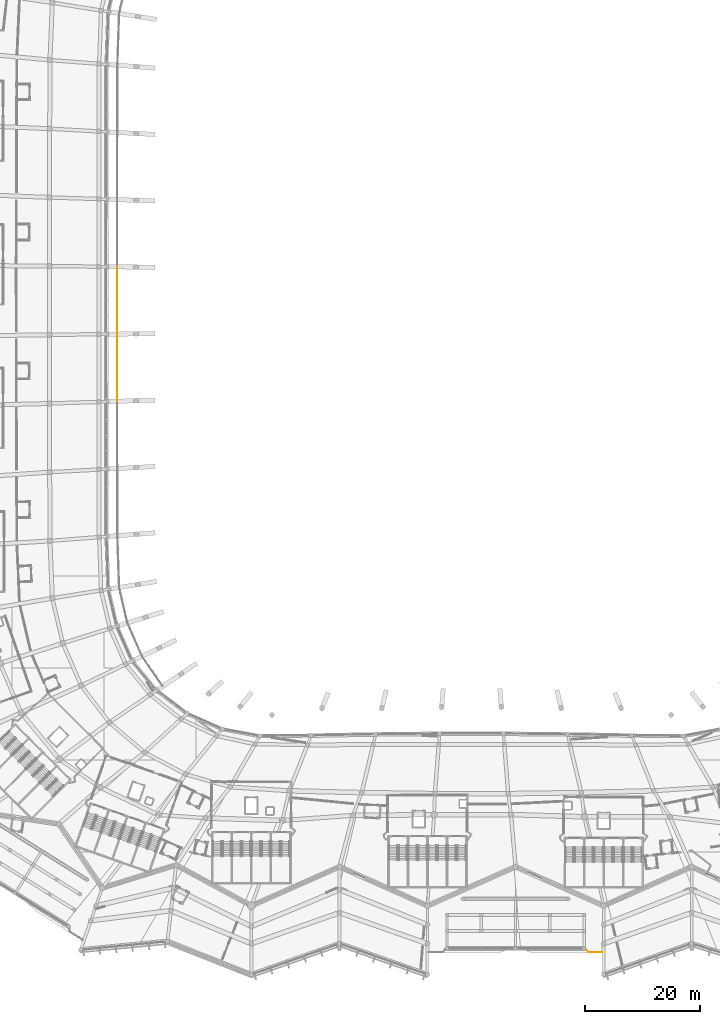
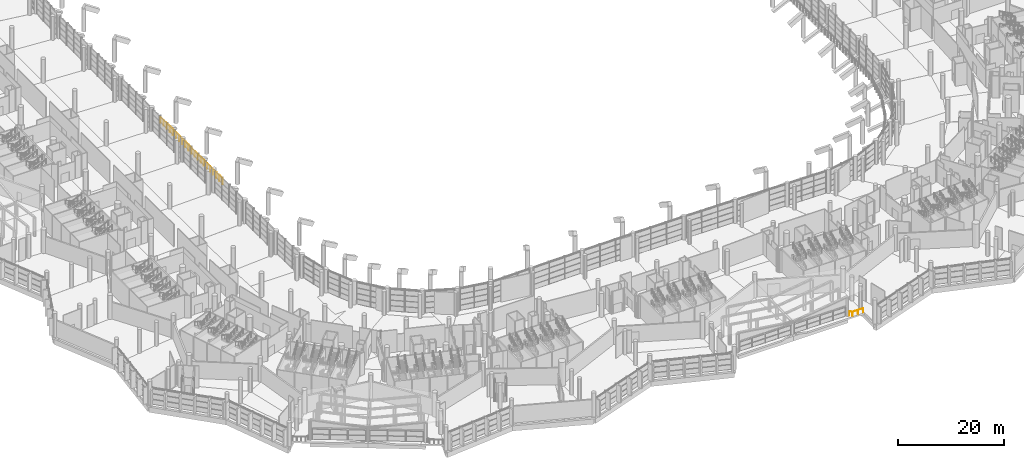
# One storey, part 236 of 271: 3 railings.
"""IFC4 building model written with IfcOpenShell, lengths in metres."""

from ifc_helpers import new_model, si_unit, direction, frame, origin, origin_2d, place, context, subcontext, project, spatial, circle, extrude, material, type_object, element, save


model = new_model("IFC4")

# Units and contexts
model_context = context("Model", 3, precision=1e-05, world=origin(), true_north=direction((0.0, 1.0)))
body_context = subcontext(model_context, "Body", "Model", "MODEL_VIEW")
ifc_project = project(units=[si_unit("LENGTHUNIT", "METRE"), si_unit("AREAUNIT", "SQUARE_METRE"), si_unit("VOLUMEUNIT", "CUBIC_METRE"), si_unit("PLANEANGLEUNIT", "RADIAN"), si_unit("MASSUNIT", "GRAM", prefix="KILO")], contexts=[model_context])

# Site, building, storey
site_placement = place(None, origin())
site = spatial("IfcSite", under=ifc_project, at=site_placement, CompositionType="ELEMENT")
building_placement = place(site_placement, origin())
building = spatial("IfcBuilding", under=site, at=building_placement, Name="Meseta Stadium", CompositionType="ELEMENT")
storey_placement = place(building_placement, frame((0.0, 0.0, 6.5)))
storey = spatial("IfcBuildingStorey", under=building, at=storey_placement, Name="L01", CompositionType="ELEMENT", Elevation=6.5)

# Railings
ifc_material_1 = material(Name="Steel S355", Category="steel")
railing_type_1 = type_object("IfcRailingType", Name="Plate edge guard 1100", PredefinedType="GUARDRAIL", material=ifc_material_1)
railing_1_placement = place(storey_placement, frame((22.75, -113.5, 0.0)))
element("IfcRailing", 1, at=railing_1_placement, inside=storey, type_object=railing_type_1, Name="Gate hall edge guard 10", PredefinedType="GUARDRAIL", context=body_context, shape_type="SweptSolid", body=[
    extrude(circle(Radius=0.02490234375, at=origin_2d()), frame((0.0, 0.0, 1.0751953125), z_axis=(-1.0, 0.0, 0.0), x_axis=(0.0, -1.0, 0.0)), (0.0, 0.0, 1.0), 2.34130859375),
    extrude(circle(Radius=0.02490234375, at=origin_2d()), frame((-2.34130859375, 0.0, 1.0751953125), z_axis=(-0.747626604113, 0.664119312189, 0.0), x_axis=(-0.664119312189, -0.747626604113, 0.0)), (0.0, 0.0, 1.0), 0.619873046875),
    extrude(circle(Radius=0.02001953125, at=origin_2d()), origin(), (0.0, 0.0, 1.0), 1.050048828125),
    extrude(circle(Radius=0.02001953125, at=origin_2d()), frame((-1.170654296875, 0.0, 0.0)), (0.0, 0.0, 1.0), 1.050048828125),
    extrude(circle(Radius=0.02001953125, at=origin_2d()), frame((-2.34130859375, 0.0, 0.0)), (0.0, 0.0, 1.0), 1.050048828125),
    extrude(circle(Radius=0.02001953125, at=origin_2d()), frame((-2.8046875, 0.41162109375, 0.0)), (0.0, 0.0, 1.0), 1.050048828125),
])
ifc_material_2 = material(Name="Steel S355", Category="steel")
railing_type_2 = type_object("IfcRailingType", Name="Stand rear guard 1300", PredefinedType="GUARDRAIL", material=ifc_material_2)
railing_2_placement = place(storey_placement, frame((-61.69873046875, 5.85205078125, 1.056396484375)))
element("IfcRailing", 2, at=railing_2_placement, inside=storey, type_object=railing_type_2, Name="Stand lower tier rear guard bay 33", PredefinedType="GUARDRAIL", context=body_context, shape_type="SweptSolid", body=[
    extrude(circle(Radius=0.02490234375, at=origin_2d()), frame((0.0, 0.0, 1.27490234375), z_axis=(0.0, -1.0, 0.0), x_axis=(1.0, 0.0, 0.0)), (0.0, 0.0, 1.0), 11.7041015625),
    extrude(circle(Radius=0.02001953125, at=origin_2d()), origin(), (0.0, 0.0, 1.0), 1.25),
    extrude(circle(Radius=0.02001953125, at=origin_2d()), frame((0.0, -1.17041015625, 0.0)), (0.0, 0.0, 1.0), 1.25),
    extrude(circle(Radius=0.02001953125, at=origin_2d()), frame((0.0, -2.3408203125, 0.0)), (0.0, 0.0, 1.0), 1.25),
    extrude(circle(Radius=0.02001953125, at=origin_2d()), frame((0.0, -3.51123046875, 0.0)), (0.0, 0.0, 1.0), 1.25),
    extrude(circle(Radius=0.02001953125, at=origin_2d()), frame((0.0, -4.681640625, 0.0)), (0.0, 0.0, 1.0), 1.25),
    extrude(circle(Radius=0.02001953125, at=origin_2d()), frame((0.0, -5.85205078125, 0.0)), (0.0, 0.0, 1.0), 1.25),
    extrude(circle(Radius=0.02001953125, at=origin_2d()), frame((0.0, -7.0224609375, 0.0)), (0.0, 0.0, 1.0), 1.25),
    extrude(circle(Radius=0.02001953125, at=origin_2d()), frame((0.0, -8.19287109375, 0.0)), (0.0, 0.0, 1.0), 1.25),
    extrude(circle(Radius=0.02001953125, at=origin_2d()), frame((0.0, -9.36328125, 0.0)), (0.0, 0.0, 1.0), 1.25),
    extrude(circle(Radius=0.02001953125, at=origin_2d()), frame((0.0, -10.53369140625, 0.0)), (0.0, 0.0, 1.0), 1.25),
    extrude(circle(Radius=0.02001953125, at=origin_2d()), frame((0.0, -11.7041015625, 0.0)), (0.0, 0.0, 1.0), 1.25),
])
railing_3_placement = place(storey_placement, frame((-61.69873046875, -5.85205078125, 0.993408203125)))
element("IfcRailing", 3, at=railing_3_placement, inside=storey, type_object=railing_type_2, Name="Stand lower tier rear guard bay 34", PredefinedType="GUARDRAIL", context=body_context, shape_type="SweptSolid", body=[
    extrude(circle(Radius=0.02490234375, at=origin_2d()), frame((0.0, 0.0, 1.27490234375), z_axis=(0.000855221537, -0.999941708545, 0.010763275932), x_axis=(0.999999634256, 0.000855271079, 0.0)), (0.0, 0.0, 1.0), 11.704345703125),
    extrude(circle(Radius=0.02001953125, at=origin_2d()), origin(), (0.0, 0.0, 1.0), 1.25),
    extrude(circle(Radius=0.02001953125, at=origin_2d()), frame((0.0009765625, -1.17041015625, 0.0126953125)), (0.0, 0.0, 1.0), 1.25),
    extrude(circle(Radius=0.02001953125, at=origin_2d()), frame((0.001953125, -2.3408203125, 0.025146484375)), (0.0, 0.0, 1.0), 1.25),
    extrude(circle(Radius=0.02001953125, at=origin_2d()), frame((0.0029296875, -3.510986328125, 0.037841796875)), (0.0, 0.0, 1.0), 1.25),
    extrude(circle(Radius=0.02001953125, at=origin_2d()), frame((0.00390625, -4.681396484375, 0.05029296875)), (0.0, 0.0, 1.0), 1.25),
    extrude(circle(Radius=0.02001953125, at=origin_2d()), frame((0.0048828125, -5.851806640625, 0.06298828125)), (0.0, 0.0, 1.0), 1.25),
    extrude(circle(Radius=0.02001953125, at=origin_2d()), frame((0.006103515625, -7.022216796875, 0.07568359375)), (0.0, 0.0, 1.0), 1.25),
    extrude(circle(Radius=0.02001953125, at=origin_2d()), frame((0.007080078125, -8.192626953125, 0.088134765625)), (0.0, 0.0, 1.0), 1.25),
    extrude(circle(Radius=0.02001953125, at=origin_2d()), frame((0.008056640625, -9.36279296875, 0.100830078125)), (0.0, 0.0, 1.0), 1.25),
    extrude(circle(Radius=0.02001953125, at=origin_2d()), frame((0.009033203125, -10.533203125, 0.11328125)), (0.0, 0.0, 1.0), 1.25),
    extrude(circle(Radius=0.02001953125, at=origin_2d()), frame((0.010009765625, -11.70361328125, 0.1259765625)), (0.0, 0.0, 1.0), 1.25),
])

save(model, "model.ifc")
